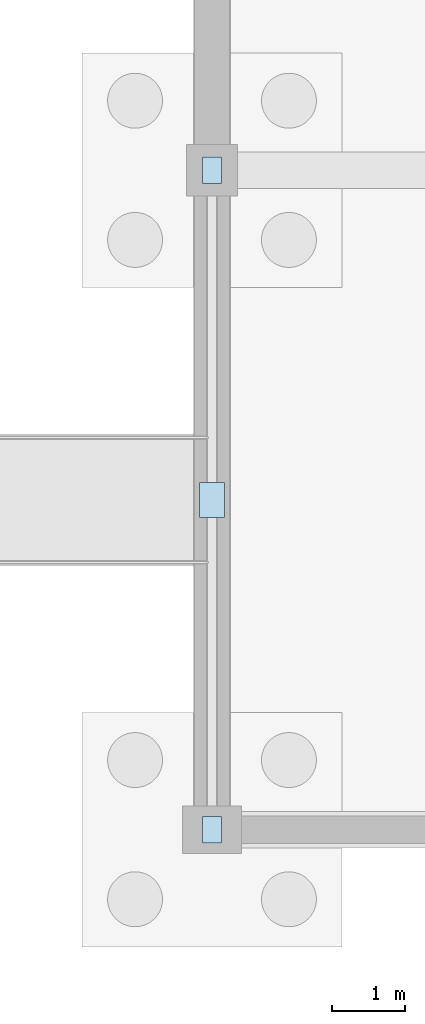
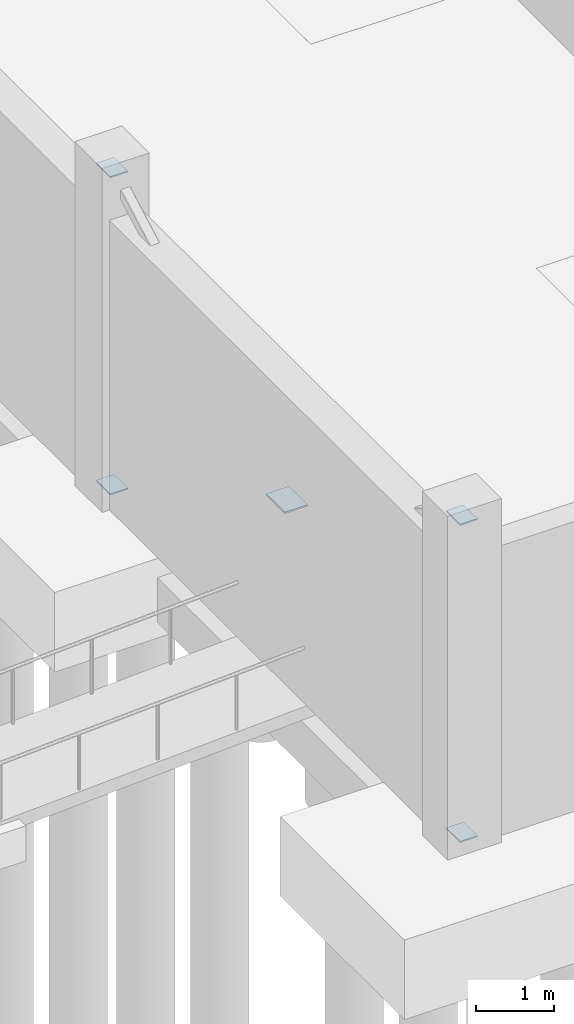
# One storey, part 80 of 118: 5 plates.
"""IFC4 building model written with IfcOpenShell, lengths in metres."""

from ifc_helpers import new_model, si_unit, direction, frame, origin, origin_2d, place, context, subcontext, project, spatial, rectangle, extrude, material, layer, layer_set, type_object, element, save


model = new_model("IFC4")

# Units and contexts
model_context = context("Model", 3, precision=1e-05, world=origin(), true_north=direction((0.0, 1.0)))
body_context = subcontext(model_context, "Body", "Model", "MODEL_VIEW")
ifc_project = project(units=[si_unit("LENGTHUNIT", "METRE"), si_unit("AREAUNIT", "SQUARE_METRE"), si_unit("VOLUMEUNIT", "CUBIC_METRE"), si_unit("PLANEANGLEUNIT", "RADIAN"), si_unit("MASSUNIT", "GRAM", prefix="KILO")], contexts=[model_context])

# Site, building, storey
site_placement = place(None, origin())
site = spatial("IfcSite", under=ifc_project, at=site_placement, CompositionType="ELEMENT")
building_placement = place(site_placement, origin())
building = spatial("IfcBuilding", under=site, at=building_placement, Name="Kildeholm Park Wholesale Market", CompositionType="ELEMENT")
storey_placement = place(building_placement, origin())
storey = spatial("IfcBuildingStorey", under=building, at=storey_placement, Name="L00", CompositionType="ELEMENT", Elevation=0.0)

# Plates
ifc_material = material(Name="Steel S355", Category="steel")
ifc_layer_1 = layer(ifc_material, 0.02001953125)
ifc_layer_set_1 = layer_set([ifc_layer_1], Name="Steel S355")
plate_type_1 = type_object("IfcPlateType", Name="Steel connection plate EP-01 360x260x20", PredefinedType="SHEET", material=ifc_layer_set_1)
for number, where, z_axis, x_axis, name in (
    (1, (0.0, 99.0, 0.090087890625), (0.0, 0.0, 1.0), (0.0, 1.0, 0.0), "Brace end connection plate BR-V4-L00-1 PLT-0128"),
    (2, (0.0, 108.0, 5.070068359375), (0.0, 0.0, 1.0), (0.0, 1.0, 0.0), "Brace end connection plate BR-V4-L00-2 PLT-0129"),
    (3, (0.0, 108.0, 0.090087890625), (0.0, 0.0, 1.0), (0.0, 1.0, 0.0), "Brace end connection plate BR-V4-L00-3 PLT-0130"),
    (4, (0.0, 99.0, 5.070068359375), (0.0, 0.0, 1.0), (0.0, 1.0, 0.0), "Brace end connection plate BR-V4-L00-4 PLT-0131"),
):
    element("IfcPlate", number, at=place(storey_placement, frame(where, z_axis=z_axis, x_axis=x_axis)), inside=storey, type_object=plate_type_1, Name=name, PredefinedType="SHEET", context=body_context, shape_type="SweptSolid", body=[
        extrude(rectangle(XDim=0.360107421875, YDim=0.260009765625, at=origin_2d()), origin(), (0.0, 0.0, 1.0), 0.02001953125),
    ])
ifc_layer_2 = layer(ifc_material, 0.02587890625)
ifc_layer_set_2 = layer_set([ifc_layer_2], Name="Steel S355")
plate_type_2 = type_object("IfcPlateType", Name="Steel connection plate GP-02 480x340x26", PredefinedType="SHEET", material=ifc_layer_set_2)
plate_placement = place(storey_placement, frame((0.0, 103.5, 2.5771484375), z_axis=(0.0, 0.0, 1.0), x_axis=(0.0, 1.0, 0.0)))
element("IfcPlate", 5, at=plate_placement, inside=storey, type_object=plate_type_2, Name="X-brace crossing gusset plate BR-V4-L00 PLT-0127", PredefinedType="SHEET", context=body_context, shape_type="SweptSolid", body=[
    extrude(rectangle(XDim=0.47998046875, YDim=0.340087890625, at=origin_2d()), origin(), (0.0, 0.0, 1.0), 0.02587890625),
])

save(model, "model.ifc")
